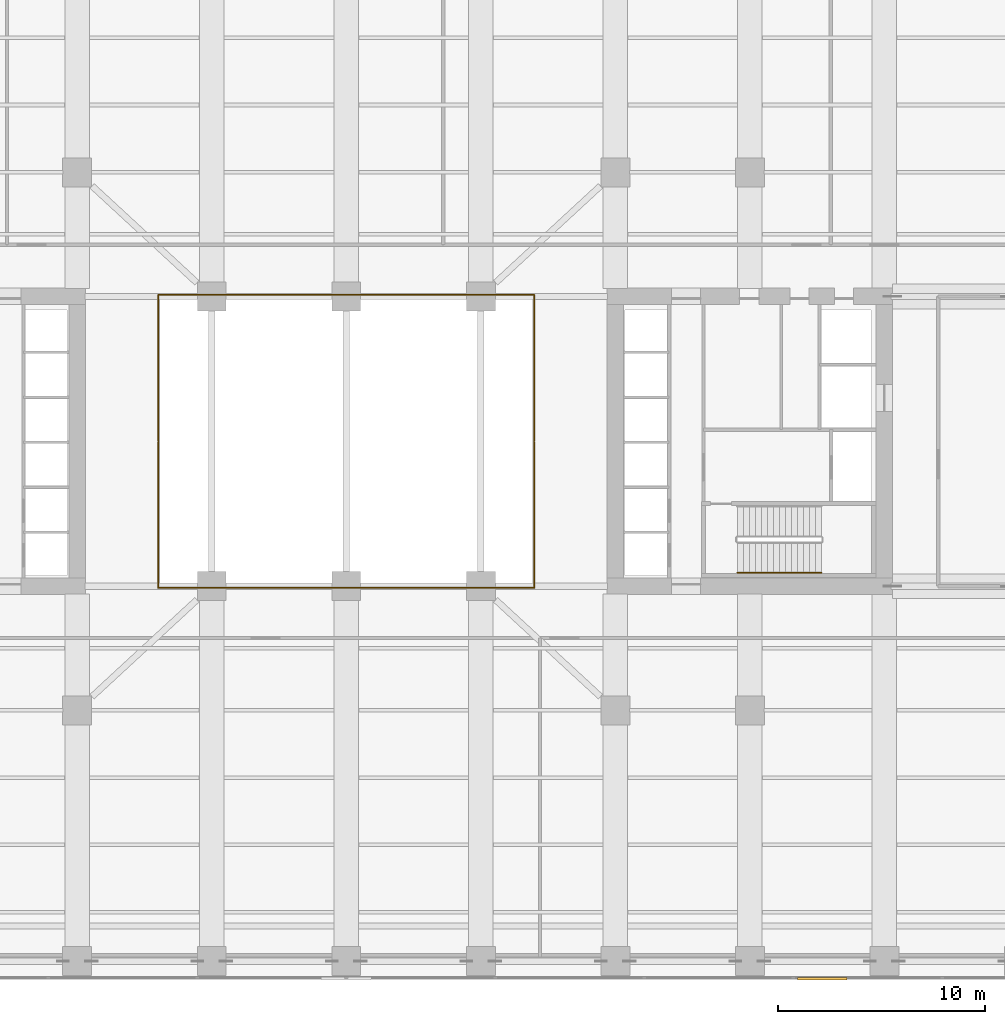
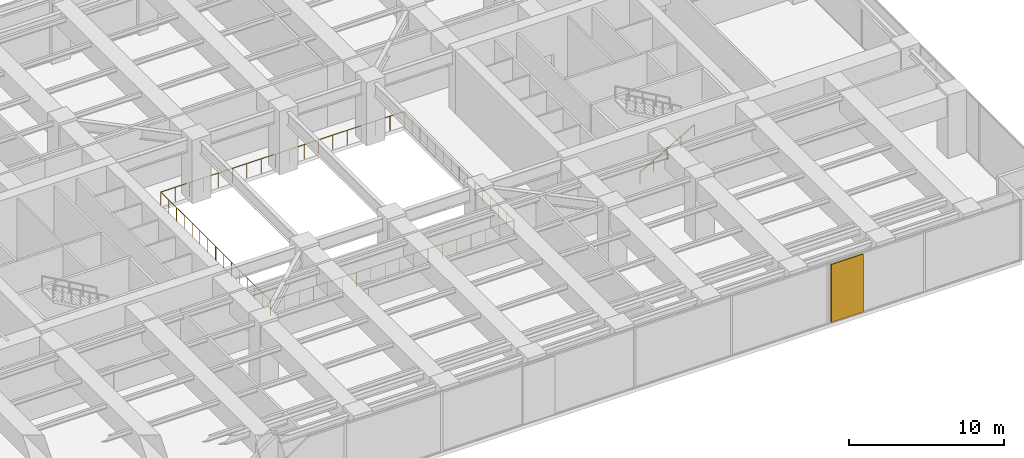
# One storey, part 29 of 31: 3 railings, 1 shading device.
"""IFC4 building model written with IfcOpenShell, lengths in metres."""

from ifc_helpers import new_model, si_unit, direction, frame, origin, origin_2d, place, context, subcontext, project, spatial, rectangle, circle, extrude, material, layer, layer_set, type_object, element, save


model = new_model("IFC4")

# Units and contexts
model_context = context("Model", 3, precision=1e-05, world=origin(), true_north=direction((0.0, 1.0)))
body_context = subcontext(model_context, "Body", "Model", "MODEL_VIEW")
ifc_project = project(units=[si_unit("LENGTHUNIT", "METRE"), si_unit("AREAUNIT", "SQUARE_METRE"), si_unit("VOLUMEUNIT", "CUBIC_METRE"), si_unit("PLANEANGLEUNIT", "RADIAN"), si_unit("MASSUNIT", "GRAM", prefix="KILO")], contexts=[model_context])

# Site, building, storey
site_placement = place(None, origin())
site = spatial("IfcSite", under=ifc_project, at=site_placement, CompositionType="ELEMENT")
building_placement = place(site_placement, origin())
building = spatial("IfcBuilding", under=site, at=building_placement, Name="Putna Gate Headquarters", CompositionType="ELEMENT")
storey_placement = place(building_placement, frame((0.0, 0.0, 81.0)))
storey = spatial("IfcBuildingStorey", under=building, at=storey_placement, Name="L19", CompositionType="ELEMENT", Elevation=81.0)

# Railings
ifc_material_1 = material(Name="Anodised bronze and laminated glass atrium balustrade", Category="glass")
railing_type_1 = type_object("IfcRailingType", Name="RAIL-ATRIUM-GUARD-1150", PredefinedType="GUARDRAIL", material=ifc_material_1)
railing_1_placement = place(storey_placement, frame((29.919921875, 25.969970703125, 0.0)))
element("IfcRailing", 1, at=railing_1_placement, inside=storey, type_object=railing_type_1, Name="L19 Central Atrium Glazed Balustrade South", PredefinedType="GUARDRAIL", context=body_context, shape_type="SweptSolid", body=[
    extrude(circle(Radius=0.02392578125, at=origin_2d()), frame((0.0, 0.0, 1.1259765625), z_axis=(0.0, -1.0, 0.0), x_axis=(1.0, 0.0, 0.0)), (0.0, 0.0, 1.0), 7.050048828125),
    extrude(circle(Radius=0.02392578125, at=origin_2d()), frame((0.0, -7.050048828125, 1.1259765625), z_axis=(1.0, 0.0, 0.0), x_axis=(0.0, 1.0, 0.0)), (0.0, 0.0, 1.0), 18.16015625),
    extrude(circle(Radius=0.02392578125, at=origin_2d()), frame((18.16015625, -7.050048828125, 1.1259765625), z_axis=(0.0, 1.0, 0.0), x_axis=(-1.0, 0.0, 0.0)), (0.0, 0.0, 1.0), 7.050048828125),
    extrude(circle(Radius=0.02099609375, at=origin_2d()), origin(), (0.0, 0.0, 1.0), 1.101806640625),
    extrude(circle(Radius=0.02099609375, at=origin_2d()), frame((0.0, -1.007080078125, 0.0)), (0.0, 0.0, 1.0), 1.101806640625),
    extrude(circle(Radius=0.02099609375, at=origin_2d()), frame((0.0, -2.014404296875, 0.0)), (0.0, 0.0, 1.0), 1.101806640625),
    extrude(circle(Radius=0.02099609375, at=origin_2d()), frame((0.0, -3.021484375, 0.0)), (0.0, 0.0, 1.0), 1.101806640625),
    extrude(circle(Radius=0.02099609375, at=origin_2d()), frame((0.0, -4.028564453125, 0.0)), (0.0, 0.0, 1.0), 1.101806640625),
    extrude(circle(Radius=0.02099609375, at=origin_2d()), frame((0.0, -5.03564453125, 0.0)), (0.0, 0.0, 1.0), 1.101806640625),
    extrude(circle(Radius=0.02099609375, at=origin_2d()), frame((0.0, -6.04296875, 0.0)), (0.0, 0.0, 1.0), 1.101806640625),
    extrude(circle(Radius=0.02099609375, at=origin_2d()), frame((0.0, -7.050048828125, 0.0)), (0.0, 0.0, 1.0), 1.101806640625),
    extrude(circle(Radius=0.02099609375, at=origin_2d()), frame((1.068359375, -7.050048828125, 0.0)), (0.0, 0.0, 1.0), 1.101806640625),
    extrude(circle(Radius=0.02099609375, at=origin_2d()), frame((2.136474609375, -7.050048828125, 0.0)), (0.0, 0.0, 1.0), 1.101806640625),
    extrude(circle(Radius=0.02099609375, at=origin_2d()), frame((3.204833984375, -7.050048828125, 0.0)), (0.0, 0.0, 1.0), 1.101806640625),
    extrude(circle(Radius=0.02099609375, at=origin_2d()), frame((4.27294921875, -7.050048828125, 0.0)), (0.0, 0.0, 1.0), 1.101806640625),
    extrude(circle(Radius=0.02099609375, at=origin_2d()), frame((5.34130859375, -7.050048828125, 0.0)), (0.0, 0.0, 1.0), 1.101806640625),
    extrude(circle(Radius=0.02099609375, at=origin_2d()), frame((6.409423828125, -7.050048828125, 0.0)), (0.0, 0.0, 1.0), 1.101806640625),
    extrude(circle(Radius=0.02099609375, at=origin_2d()), frame((7.477783203125, -7.050048828125, 0.0)), (0.0, 0.0, 1.0), 1.101806640625),
    extrude(circle(Radius=0.02099609375, at=origin_2d()), frame((8.5458984375, -7.050048828125, 0.0)), (0.0, 0.0, 1.0), 1.101806640625),
    extrude(circle(Radius=0.02099609375, at=origin_2d()), frame((9.6142578125, -7.050048828125, 0.0)), (0.0, 0.0, 1.0), 1.101806640625),
    extrude(circle(Radius=0.02099609375, at=origin_2d()), frame((10.682373046875, -7.050048828125, 0.0)), (0.0, 0.0, 1.0), 1.101806640625),
    extrude(circle(Radius=0.02099609375, at=origin_2d()), frame((11.750732421875, -7.050048828125, 0.0)), (0.0, 0.0, 1.0), 1.101806640625),
    extrude(circle(Radius=0.02099609375, at=origin_2d()), frame((12.81884765625, -7.050048828125, 0.0)), (0.0, 0.0, 1.0), 1.101806640625),
    extrude(circle(Radius=0.02099609375, at=origin_2d()), frame((13.88720703125, -7.050048828125, 0.0)), (0.0, 0.0, 1.0), 1.101806640625),
    extrude(circle(Radius=0.02099609375, at=origin_2d()), frame((14.955322265625, -7.050048828125, 0.0)), (0.0, 0.0, 1.0), 1.101806640625),
    extrude(circle(Radius=0.02099609375, at=origin_2d()), frame((16.023681640625, -7.050048828125, 0.0)), (0.0, 0.0, 1.0), 1.101806640625),
    extrude(circle(Radius=0.02099609375, at=origin_2d()), frame((17.091796875, -7.050048828125, 0.0)), (0.0, 0.0, 1.0), 1.101806640625),
    extrude(circle(Radius=0.02099609375, at=origin_2d()), frame((18.16015625, -7.050048828125, 0.0)), (0.0, 0.0, 1.0), 1.101806640625),
    extrude(circle(Radius=0.02099609375, at=origin_2d()), frame((18.16015625, -6.04296875, 0.0)), (0.0, 0.0, 1.0), 1.101806640625),
    extrude(circle(Radius=0.02099609375, at=origin_2d()), frame((18.16015625, -5.03564453125, 0.0)), (0.0, 0.0, 1.0), 1.101806640625),
    extrude(circle(Radius=0.02099609375, at=origin_2d()), frame((18.16015625, -4.028564453125, 0.0)), (0.0, 0.0, 1.0), 1.101806640625),
    extrude(circle(Radius=0.02099609375, at=origin_2d()), frame((18.16015625, -3.021484375, 0.0)), (0.0, 0.0, 1.0), 1.101806640625),
    extrude(circle(Radius=0.02099609375, at=origin_2d()), frame((18.16015625, -2.014404296875, 0.0)), (0.0, 0.0, 1.0), 1.101806640625),
    extrude(circle(Radius=0.02099609375, at=origin_2d()), frame((18.16015625, -1.007080078125, 0.0)), (0.0, 0.0, 1.0), 1.101806640625),
    extrude(circle(Radius=0.02099609375, at=origin_2d()), frame((18.16015625, 0.0, 0.0)), (0.0, 0.0, 1.0), 1.101806640625),
])
railing_2_placement = place(storey_placement, frame((48.080078125, 26.030029296875, 0.0)))
element("IfcRailing", 2, at=railing_2_placement, inside=storey, type_object=railing_type_1, Name="L19 Central Atrium Glazed Balustrade North", PredefinedType="GUARDRAIL", context=body_context, shape_type="SweptSolid", body=[
    extrude(circle(Radius=0.02392578125, at=origin_2d()), frame((0.0, 0.0, 1.1259765625), z_axis=(0.0, 1.0, 0.0), x_axis=(-1.0, 0.0, 0.0)), (0.0, 0.0, 1.0), 7.050048828125),
    extrude(circle(Radius=0.02392578125, at=origin_2d()), frame((0.0, 7.050048828125, 1.1259765625), z_axis=(-1.0, 0.0, 0.0), x_axis=(0.0, -1.0, 0.0)), (0.0, 0.0, 1.0), 18.16015625),
    extrude(circle(Radius=0.02392578125, at=origin_2d()), frame((-18.16015625, 7.050048828125, 1.1259765625), z_axis=(0.0, -1.0, 0.0), x_axis=(1.0, 0.0, 0.0)), (0.0, 0.0, 1.0), 7.050048828125),
    extrude(circle(Radius=0.02099609375, at=origin_2d()), origin(), (0.0, 0.0, 1.0), 1.101806640625),
    extrude(circle(Radius=0.02099609375, at=origin_2d()), frame((0.0, 1.007080078125, 0.0)), (0.0, 0.0, 1.0), 1.101806640625),
    extrude(circle(Radius=0.02099609375, at=origin_2d()), frame((0.0, 2.014404296875, 0.0)), (0.0, 0.0, 1.0), 1.101806640625),
    extrude(circle(Radius=0.02099609375, at=origin_2d()), frame((0.0, 3.021484375, 0.0)), (0.0, 0.0, 1.0), 1.101806640625),
    extrude(circle(Radius=0.02099609375, at=origin_2d()), frame((0.0, 4.028564453125, 0.0)), (0.0, 0.0, 1.0), 1.101806640625),
    extrude(circle(Radius=0.02099609375, at=origin_2d()), frame((0.0, 5.03564453125, 0.0)), (0.0, 0.0, 1.0), 1.101806640625),
    extrude(circle(Radius=0.02099609375, at=origin_2d()), frame((0.0, 6.04296875, 0.0)), (0.0, 0.0, 1.0), 1.101806640625),
    extrude(circle(Radius=0.02099609375, at=origin_2d()), frame((0.0, 7.050048828125, 0.0)), (0.0, 0.0, 1.0), 1.101806640625),
    extrude(circle(Radius=0.02099609375, at=origin_2d()), frame((-1.068359375, 7.050048828125, 0.0)), (0.0, 0.0, 1.0), 1.101806640625),
    extrude(circle(Radius=0.02099609375, at=origin_2d()), frame((-2.136474609375, 7.050048828125, 0.0)), (0.0, 0.0, 1.0), 1.101806640625),
    extrude(circle(Radius=0.02099609375, at=origin_2d()), frame((-3.204833984375, 7.050048828125, 0.0)), (0.0, 0.0, 1.0), 1.101806640625),
    extrude(circle(Radius=0.02099609375, at=origin_2d()), frame((-4.27294921875, 7.050048828125, 0.0)), (0.0, 0.0, 1.0), 1.101806640625),
    extrude(circle(Radius=0.02099609375, at=origin_2d()), frame((-5.34130859375, 7.050048828125, 0.0)), (0.0, 0.0, 1.0), 1.101806640625),
    extrude(circle(Radius=0.02099609375, at=origin_2d()), frame((-6.409423828125, 7.050048828125, 0.0)), (0.0, 0.0, 1.0), 1.101806640625),
    extrude(circle(Radius=0.02099609375, at=origin_2d()), frame((-7.477783203125, 7.050048828125, 0.0)), (0.0, 0.0, 1.0), 1.101806640625),
    extrude(circle(Radius=0.02099609375, at=origin_2d()), frame((-8.5458984375, 7.050048828125, 0.0)), (0.0, 0.0, 1.0), 1.101806640625),
    extrude(circle(Radius=0.02099609375, at=origin_2d()), frame((-9.6142578125, 7.050048828125, 0.0)), (0.0, 0.0, 1.0), 1.101806640625),
    extrude(circle(Radius=0.02099609375, at=origin_2d()), frame((-10.682373046875, 7.050048828125, 0.0)), (0.0, 0.0, 1.0), 1.101806640625),
    extrude(circle(Radius=0.02099609375, at=origin_2d()), frame((-11.750732421875, 7.050048828125, 0.0)), (0.0, 0.0, 1.0), 1.101806640625),
    extrude(circle(Radius=0.02099609375, at=origin_2d()), frame((-12.81884765625, 7.050048828125, 0.0)), (0.0, 0.0, 1.0), 1.101806640625),
    extrude(circle(Radius=0.02099609375, at=origin_2d()), frame((-13.88720703125, 7.050048828125, 0.0)), (0.0, 0.0, 1.0), 1.101806640625),
    extrude(circle(Radius=0.02099609375, at=origin_2d()), frame((-14.955322265625, 7.050048828125, 0.0)), (0.0, 0.0, 1.0), 1.101806640625),
    extrude(circle(Radius=0.02099609375, at=origin_2d()), frame((-16.023681640625, 7.050048828125, 0.0)), (0.0, 0.0, 1.0), 1.101806640625),
    extrude(circle(Radius=0.02099609375, at=origin_2d()), frame((-17.091796875, 7.050048828125, 0.0)), (0.0, 0.0, 1.0), 1.101806640625),
    extrude(circle(Radius=0.02099609375, at=origin_2d()), frame((-18.16015625, 7.050048828125, 0.0)), (0.0, 0.0, 1.0), 1.101806640625),
    extrude(circle(Radius=0.02099609375, at=origin_2d()), frame((-18.16015625, 6.04296875, 0.0)), (0.0, 0.0, 1.0), 1.101806640625),
    extrude(circle(Radius=0.02099609375, at=origin_2d()), frame((-18.16015625, 5.03564453125, 0.0)), (0.0, 0.0, 1.0), 1.101806640625),
    extrude(circle(Radius=0.02099609375, at=origin_2d()), frame((-18.16015625, 4.028564453125, 0.0)), (0.0, 0.0, 1.0), 1.101806640625),
    extrude(circle(Radius=0.02099609375, at=origin_2d()), frame((-18.16015625, 3.021484375, 0.0)), (0.0, 0.0, 1.0), 1.101806640625),
    extrude(circle(Radius=0.02099609375, at=origin_2d()), frame((-18.16015625, 2.014404296875, 0.0)), (0.0, 0.0, 1.0), 1.101806640625),
    extrude(circle(Radius=0.02099609375, at=origin_2d()), frame((-18.16015625, 1.007080078125, 0.0)), (0.0, 0.0, 1.0), 1.101806640625),
    extrude(circle(Radius=0.02099609375, at=origin_2d()), frame((-18.16015625, 0.0, 0.0)), (0.0, 0.0, 1.0), 1.101806640625),
])
ifc_material_2 = material(Name="Brushed stainless steel handrail", Category="steel")
railing_type_2 = type_object("IfcRailingType", Name="RAIL-STAIR-HAND-900", PredefinedType="HANDRAIL", material=ifc_material_2)
railing_3_placement = place(storey_placement, frame((57.89990234375, 19.64990234375, 0.166748046875)))
element("IfcRailing", 3, at=railing_3_placement, inside=storey, type_object=railing_type_2, Name="L19 ST2 stair handrail 1", PredefinedType="HANDRAIL", context=body_context, shape_type="SweptSolid", body=[
    extrude(circle(Radius=0.02392578125, at=origin_2d()), frame((0.0, 0.0, 0.8759765625), z_axis=(0.867024558463, 0.0, 0.498265406207), x_axis=(0.0, 1.0, 0.0)), (0.0, 0.0, 1.0), 4.682861328125),
    extrude(circle(Radius=0.02099609375, at=origin_2d()), origin(), (0.0, 0.0, 1.0), 0.851806640625),
    extrude(circle(Radius=0.02099609375, at=origin_2d()), frame((1.01513671875, 0.0, 0.583251953125)), (0.0, 0.0, 1.0), 0.851806640625),
    extrude(circle(Radius=0.02099609375, at=origin_2d()), frame((2.030029296875, 0.0, 1.16650390625)), (0.0, 0.0, 1.0), 0.851806640625),
    extrude(circle(Radius=0.02099609375, at=origin_2d()), frame((3.044921875, 0.0, 1.75)), (0.0, 0.0, 1.0), 0.851806640625),
    extrude(circle(Radius=0.02099609375, at=origin_2d()), frame((4.06005859375, 0.0, 2.333251953125)), (0.0, 0.0, 1.0), 0.851806640625),
])

# Shading device
ifc_material_3 = material(Name="Anodised bronze acoustic weather louvre", Category="aluminium")
ifc_layer = layer(ifc_material_3, 0.1201171875)
ifc_layer_set = layer_set([ifc_layer], Name="Anodised bronze acoustic weather louvre")
shading_device_type = type_object("IfcShadingDeviceType", Name="SHADE-PLANT-LOUVRE", PredefinedType="JALOUSIE", material=ifc_layer_set)
shading_device_placement = place(storey_placement, frame((62.0, 0.030029296875, 0.10009765625), z_axis=(0.0, 0.0, 1.0), x_axis=(1.0, 0.0, 0.0)))
element("IfcShadingDevice", 4, at=shading_device_placement, inside=storey, type_object=shading_device_type, Name="L19 Bronze Acoustic Louvre S3", PredefinedType="JALOUSIE", context=body_context, shape_type="SweptSolid", body=[
    extrude(rectangle(XDim=2.39990234375, YDim=0.1201171875, at=origin_2d()), origin(), (0.0, 0.0, 1.0), 4.56494140625),
])

save(model, "model.ifc")
